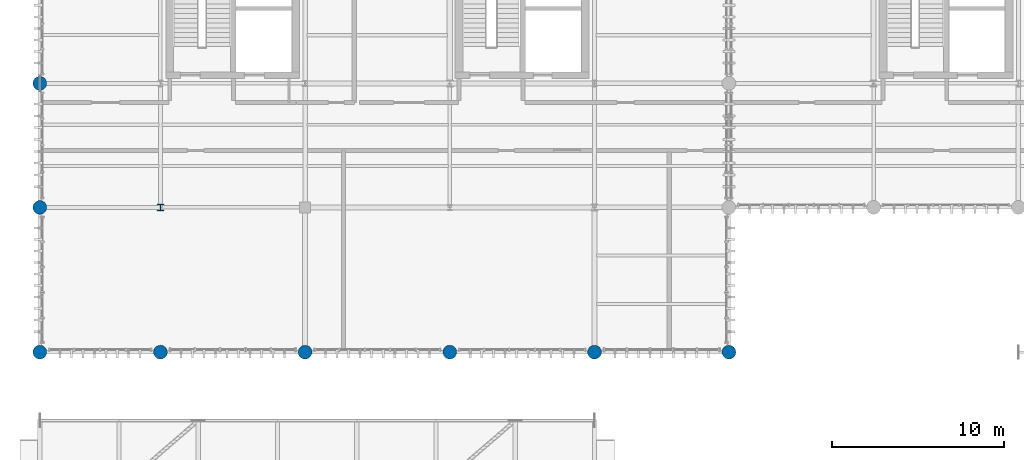
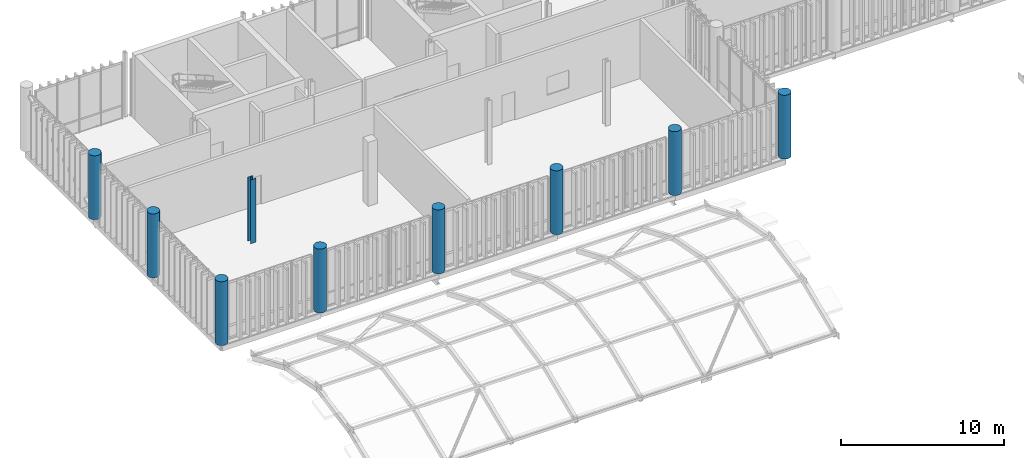
# One storey, part 1 of 94: 9 columns.
"""IFC4 building model written with IfcOpenShell, lengths in metres."""

from ifc_helpers import new_model, si_unit, direction, frame, origin_with_axes, origin_2d_with_axis, place, context, subcontext, project, spatial, circle, i_section, extrude, material, material_profile, profile_set, type_object, element, save


model = new_model("IFC4")

# Units and contexts
model_context = context("Model", 3, precision=1e-05, world=origin_with_axes(), true_north=direction((0.0, 1.0)))
body_context = subcontext(model_context, "Body", "Model", "MODEL_VIEW")
ifc_project = project(units=[si_unit("LENGTHUNIT", "METRE"), si_unit("AREAUNIT", "SQUARE_METRE"), si_unit("VOLUMEUNIT", "CUBIC_METRE"), si_unit("PLANEANGLEUNIT", "RADIAN"), si_unit("MASSUNIT", "GRAM", prefix="KILO"), si_unit("THERMODYNAMICTEMPERATUREUNIT", "KELVIN")], contexts=[model_context])

# Site, building, storey
site_placement = place(None, origin_with_axes())
site = spatial("IfcSite", under=ifc_project, at=site_placement, CompositionType="ELEMENT")
building_placement = place(site_placement, origin_with_axes())
building = spatial("IfcBuilding", under=site, at=building_placement, Name="Montbau Bow Law Courts", CompositionType="ELEMENT")
storey_placement = place(building_placement, frame((0.0, 0.0, 15.6), z_axis=(0.0, 0.0, 1.0), x_axis=(1.0, 0.0, 0.0)))
storey = spatial("IfcBuildingStorey", under=building, at=storey_placement, Name="L03", CompositionType="ELEMENT", Elevation=15.6)

# Columns
ifc_material_1 = material(Name="Concrete CSA A23.1 f'c 40 MPa", Category="concrete")
ifc_material_profile_1 = material_profile(ifc_material_1, circle(Radius=0.4, at=origin_2d_with_axis()), Name="RC800D", Category="Main", Priority=0)
ifc_profile_set_1 = profile_set([ifc_material_profile_1], Name="Concrete CSA A23.1 f'c 40 MPa")
column_type_1 = type_object("IfcColumnType", Name="C-RC-07", PredefinedType="COLUMN", material=ifc_profile_set_1)
for number, where, z_axis, x_axis, name in (
    (1, (6.8, 30.6, 15.6), (0.0, 0.0, 1.0), (1.0, 0.0, 0.0), "C-L03-S0643:col2_0643"),
    (2, (6.8, 39.0, 15.6), (0.0, 0.0, 1.0), (1.0, 0.0, 0.0), "C-L03-S0644:col2_0644"),
    (3, (6.8, 46.2, 15.6), (0.0, 0.0, 1.0), (1.0, 0.0, 0.0), "C-L03-S0645:col2_0645"),
    (4, (13.8, 30.6, 15.6), (0.0, 0.0, 1.0), (1.0, 0.0, 0.0), "C-L03-S0647:col2_0647"),
    (5, (22.2, 30.6, 15.6), (0.0, 0.0, 1.0), (1.0, 0.0, 0.0), "C-L03-S0651:col2_0651"),
    (6, (30.6, 30.6, 15.6), (0.0, 0.0, 1.0), (1.0, 0.0, 0.0), "C-L03-S0655:col2_0655"),
    (7, (39.0, 30.6, 15.6), (0.0, 0.0, 1.0), (1.0, 0.0, 0.0), "C-L03-S0659:col2_0659"),
    (8, (46.8, 30.6, 15.6), (0.0, 0.0, 1.0), (1.0, 0.0, 0.0), "C-L03-S0663:col2_0663"),
):
    element("IfcColumn", number, at=place(None, frame(where, z_axis=z_axis, x_axis=x_axis)), inside=storey, type_object=column_type_1, Name=name, PredefinedType="COLUMN", context=body_context, shape_type="SweptSolid", body=[
        extrude(circle(Radius=0.4, at=origin_2d_with_axis()), origin_with_axes(), (0.0, 0.0, 1.0), 4.8),
    ])
ifc_material_2 = material(Name="Steel CSA G40.21 Grade 350W (350 MPa)", Category="steel")
ifc_material_profile_2 = material_profile(ifc_material_2, i_section(OverallWidth=0.373, OverallDepth=0.368, WebThickness=0.015, FlangeThickness=0.0239, at=origin_2d_with_axis()), Name="W360X179", Category="Main", Priority=0)
ifc_profile_set_2 = profile_set([ifc_material_profile_2], Name="Steel CSA G40.21 Grade 350W (350 MPa)")
column_type_2 = type_object("IfcColumnType", Name="C-STL-04", PredefinedType="COLUMN", material=ifc_profile_set_2)
column_placement = place(None, frame((13.8, 39.0, 15.6), z_axis=(0.0, 0.0, 1.0), x_axis=(1.0, 0.0, 0.0)))
element("IfcColumn", 9, at=column_placement, inside=storey, type_object=column_type_2, Name="C-L03-S0648:col2_0648", PredefinedType="COLUMN", context=body_context, shape_type="SweptSolid", body=[
    extrude(i_section(OverallWidth=0.373, OverallDepth=0.368, WebThickness=0.015, FlangeThickness=0.0239, at=origin_2d_with_axis()), origin_with_axes(), (0.0, 0.0, 1.0), 4.8),
])

save(model, "model.ifc")
